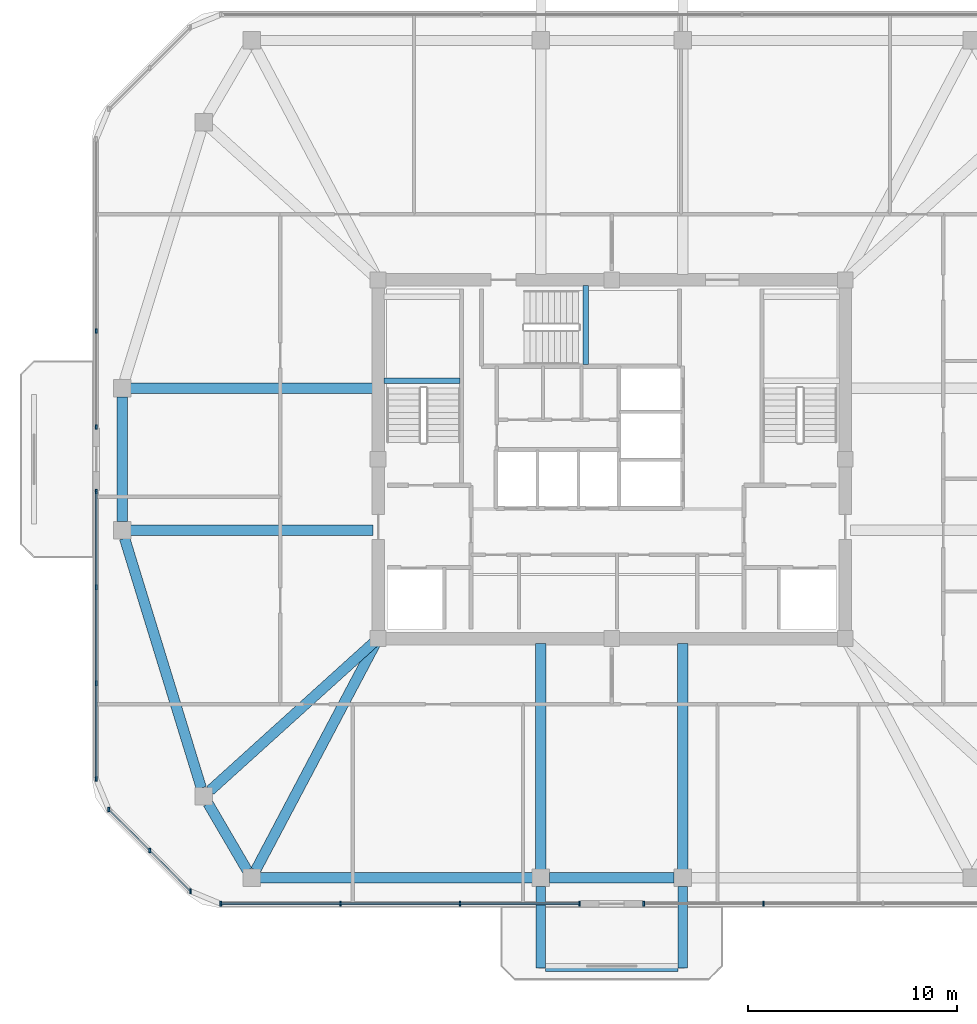
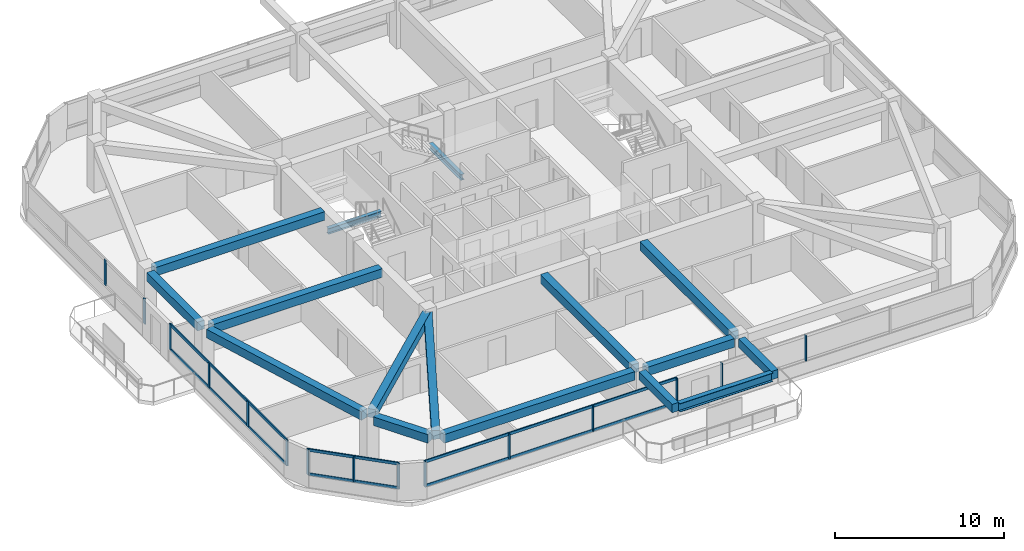
# One storey, part 2 of 12: 21 members, 16 beams, 5 elements without a shape of their own.
"""IFC4 building model written with IfcOpenShell, lengths in metres."""

from ifc_helpers import new_model, si_unit, derived_unit, direction, frame, origin, origin_2d, place, context, subcontext, project, spatial, rectangle, i_section, extrude, material, material_profile, profile_set, type_object, element, aggregate, save


model = new_model("IFC4")

# Units and contexts
model_context = context("Model", 3, precision=1e-05, world=origin(), true_north=direction((0.0, 1.0)))
body_context = subcontext(model_context, "Body", "Model", "MODEL_VIEW")
ifc_project = project(units=[si_unit("LENGTHUNIT", "METRE"), si_unit("AREAUNIT", "SQUARE_METRE"), si_unit("VOLUMEUNIT", "CUBIC_METRE"), si_unit("PLANEANGLEUNIT", "RADIAN"), si_unit("MASSUNIT", "GRAM", prefix="KILO"), derived_unit("THERMALTRANSMITTANCEUNIT", [(si_unit("POWERUNIT", "WATT"), 1), (si_unit("LENGTHUNIT", "METRE"), -2), (si_unit("THERMODYNAMICTEMPERATUREUNIT", "KELVIN"), -1)])], contexts=[model_context])

# Site, building, storey
site_placement = place(None, origin())
site = spatial("IfcSite", under=ifc_project, at=site_placement, CompositionType="ELEMENT")
building_placement = place(site_placement, origin())
building = spatial("IfcBuilding", under=site, at=building_placement, Name="Koralith Skygarden Medical Center", CompositionType="ELEMENT")
storey_placement = place(building_placement, frame((0.0, 0.0, 278.820068359375)))
storey = spatial("IfcBuildingStorey", under=building, at=storey_placement, Name="L72", CompositionType="ELEMENT", Elevation=278.820068359375)

# Curtain wall, members
ifc_material_1 = material(Name="Clear Laminated Glass", Category="glass")
curtain_wall_type = type_object("IfcCurtainWallType", Name="CW-6 Zone 5 Upper Clinical Curtain Wall", PredefinedType="NOTDEFINED", material=ifc_material_1)
curtain_wall_1_placement = place(storey_placement, origin())
curtain_wall_1 = element("IfcCurtainWall", 1, at=curtain_wall_1_placement, inside=storey, type_object=curtain_wall_type, Name="Curtain Wall CW-L72-S-L", PredefinedType="NOTDEFINED")
ifc_material_2 = material(Name="Aluminium 6063-T6", Category="aluminium")
ifc_material_profile_1 = material_profile(ifc_material_2, rectangle(XDim=0.0830078125, YDim=0.219970703125, at=origin_2d()), Name="MUL83X220")
ifc_profile_set_1 = profile_set([ifc_material_profile_1], Name="Aluminium 6063-T6")
member_type_1 = type_object("IfcMemberType", Name="CW-6 Extruded Mullion 83x220", PredefinedType="MULLION", material=ifc_profile_set_1)
member_1_placement = place(storey_placement, frame((18.2548828125, 4.580078125, 0.849853515625), z_axis=(0.0, 0.0, 1.0), x_axis=(1.0, 0.0, 0.0)))
member_1 = element("IfcMember", 2, at=member_1_placement, type_object=member_type_1, Name="CW-L72-S-L Mullion 1", PredefinedType="MULLION", context=body_context, shape_type="SweptSolid", body=[
    extrude(rectangle(XDim=0.0830078125, YDim=0.219970703125, at=origin_2d()), origin(), (0.0, 0.0, 1.0), 1.840087890625),
])
member_2_placement = place(storey_placement, frame((23.989990234375, 4.580078125, 0.849853515625), z_axis=(0.0, 0.0, 1.0), x_axis=(1.0, 0.0, 0.0)))
member_2 = element("IfcMember", 3, at=member_2_placement, type_object=member_type_1, Name="CW-L72-S-L Mullion 2", PredefinedType="MULLION", context=body_context, shape_type="SweptSolid", body=[
    extrude(rectangle(XDim=0.0830078125, YDim=0.219970703125, at=origin_2d()), origin(), (0.0, 0.0, 1.0), 1.840087890625),
])
member_3_placement = place(storey_placement, frame((29.72412109375, 4.580078125, 0.849853515625), z_axis=(0.0, 0.0, 1.0), x_axis=(1.0, 0.0, 0.0)))
member_3 = element("IfcMember", 4, at=member_3_placement, type_object=member_type_1, Name="CW-L72-S-L Mullion 3", PredefinedType="MULLION", context=body_context, shape_type="SweptSolid", body=[
    extrude(rectangle(XDim=0.0830078125, YDim=0.219970703125, at=origin_2d()), origin(), (0.0, 0.0, 1.0), 1.840087890625),
])
member_4_placement = place(storey_placement, frame((35.458984375, 4.580078125, 0.849853515625), z_axis=(0.0, 0.0, 1.0), x_axis=(1.0, 0.0, 0.0)))
member_4 = element("IfcMember", 5, at=member_4_placement, type_object=member_type_1, Name="CW-L72-S-L Mullion 4", PredefinedType="MULLION", context=body_context, shape_type="SweptSolid", body=[
    extrude(rectangle(XDim=0.0830078125, YDim=0.219970703125, at=origin_2d()), origin(), (0.0, 0.0, 1.0), 1.840087890625),
])

curtain_wall_2_placement = place(storey_placement, origin())
curtain_wall_2 = element("IfcCurtainWall", 6, at=curtain_wall_2_placement, inside=storey, type_object=curtain_wall_type, Name="Curtain Wall CW-L72-S-R", PredefinedType="NOTDEFINED")
member_5_placement = place(storey_placement, frame((38.5390625, 4.580078125, 0.849853515625), z_axis=(0.0, 0.0, 1.0), x_axis=(1.0, 0.0, 0.0)))
member_5 = element("IfcMember", 7, at=member_5_placement, type_object=member_type_1, Name="CW-L72-S-R Mullion 1", PredefinedType="MULLION", context=body_context, shape_type="SweptSolid", body=[
    extrude(rectangle(XDim=0.0830078125, YDim=0.219970703125, at=origin_2d()), origin(), (0.0, 0.0, 1.0), 1.840087890625),
])
member_6_placement = place(storey_placement, frame((44.27392578125, 4.580078125, 0.849853515625), z_axis=(0.0, 0.0, 1.0), x_axis=(1.0, 0.0, 0.0)))
member_6 = element("IfcMember", 8, at=member_6_placement, type_object=member_type_1, Name="CW-L72-S-R Mullion 2", PredefinedType="MULLION", context=body_context, shape_type="SweptSolid", body=[
    extrude(rectangle(XDim=0.0830078125, YDim=0.219970703125, at=origin_2d()), origin(), (0.0, 0.0, 1.0), 1.840087890625),
])
aggregate(curtain_wall_2, [member_5, member_6])

curtain_wall_3_placement = place(storey_placement, origin())
curtain_wall_3 = element("IfcCurtainWall", 9, at=curtain_wall_3_placement, inside=storey, type_object=curtain_wall_type, Name="Curtain Wall CW-L72-W-L", PredefinedType="NOTDEFINED")
member_7_placement = place(storey_placement, frame((12.280029296875, 32.0419921875, 0.849853515625), z_axis=(0.0, 0.0, 1.0), x_axis=(1.0, 0.0, 0.0)))
member_7 = element("IfcMember", 10, at=member_7_placement, type_object=member_type_1, Name="CW-L72-W-L Mullion 3", PredefinedType="MULLION", context=body_context, shape_type="SweptSolid", body=[
    extrude(rectangle(XDim=0.0830078125, YDim=0.219970703125, at=origin_2d()), origin(), (0.0, 0.0, 1.0), 1.840087890625),
])
member_8_placement = place(storey_placement, frame((12.280029296875, 27.43994140625, 0.849853515625), z_axis=(0.0, 0.0, 1.0), x_axis=(1.0, 0.0, 0.0)))
member_8 = element("IfcMember", 11, at=member_8_placement, type_object=member_type_1, Name="CW-L72-W-L Mullion 4", PredefinedType="MULLION", context=body_context, shape_type="SweptSolid", body=[
    extrude(rectangle(XDim=0.0830078125, YDim=0.219970703125, at=origin_2d()), origin(), (0.0, 0.0, 1.0), 1.840087890625),
])
aggregate(curtain_wall_3, [member_7, member_8])

curtain_wall_4_placement = place(storey_placement, origin())
curtain_wall_4 = element("IfcCurtainWall", 12, at=curtain_wall_4_placement, inside=storey, type_object=curtain_wall_type, Name="Curtain Wall CW-L72-W-R", PredefinedType="NOTDEFINED")
member_9_placement = place(storey_placement, frame((12.280029296875, 24.360107421875, 0.849853515625), z_axis=(0.0, 0.0, 1.0), x_axis=(1.0, 0.0, 0.0)))
member_9 = element("IfcMember", 13, at=member_9_placement, type_object=member_type_1, Name="CW-L72-W-R Mullion 1", PredefinedType="MULLION", context=body_context, shape_type="SweptSolid", body=[
    extrude(rectangle(XDim=0.0830078125, YDim=0.219970703125, at=origin_2d()), origin(), (0.0, 0.0, 1.0), 1.840087890625),
])
member_10_placement = place(storey_placement, frame((12.280029296875, 19.758056640625, 0.849853515625), z_axis=(0.0, 0.0, 1.0), x_axis=(1.0, 0.0, 0.0)))
member_10 = element("IfcMember", 14, at=member_10_placement, type_object=member_type_1, Name="CW-L72-W-R Mullion 2", PredefinedType="MULLION", context=body_context, shape_type="SweptSolid", body=[
    extrude(rectangle(XDim=0.0830078125, YDim=0.219970703125, at=origin_2d()), origin(), (0.0, 0.0, 1.0), 1.840087890625),
])
member_11_placement = place(storey_placement, frame((12.280029296875, 15.156982421875, 0.849853515625), z_axis=(0.0, 0.0, 1.0), x_axis=(1.0, 0.0, 0.0)))
member_11 = element("IfcMember", 15, at=member_11_placement, type_object=member_type_1, Name="CW-L72-W-R Mullion 3", PredefinedType="MULLION", context=body_context, shape_type="SweptSolid", body=[
    extrude(rectangle(XDim=0.0830078125, YDim=0.219970703125, at=origin_2d()), origin(), (0.0, 0.0, 1.0), 1.840087890625),
])
member_12_placement = place(storey_placement, frame((12.280029296875, 10.554931640625, 0.849853515625), z_axis=(0.0, 0.0, 1.0), x_axis=(1.0, 0.0, 0.0)))
member_12 = element("IfcMember", 16, at=member_12_placement, type_object=member_type_1, Name="CW-L72-W-R Mullion 4", PredefinedType="MULLION", context=body_context, shape_type="SweptSolid", body=[
    extrude(rectangle(XDim=0.0830078125, YDim=0.219970703125, at=origin_2d()), origin(), (0.0, 0.0, 1.0), 1.840087890625),
])

curtain_wall_5_placement = place(storey_placement, origin())
curtain_wall_5 = element("IfcCurtainWall", 17, at=curtain_wall_5_placement, inside=storey, type_object=curtain_wall_type, Name="Curtain Wall CW-L72-SW", PredefinedType="NOTDEFINED")
member_13_placement = place(storey_placement, frame((12.881103515625, 9.10400390625, 0.849853515625), z_axis=(0.0, 0.0, 1.0), x_axis=(1.0, 0.0, 0.0)))
member_13 = element("IfcMember", 18, at=member_13_placement, type_object=member_type_1, Name="CW-L72-SW Mullion 1", PredefinedType="MULLION", context=body_context, shape_type="SweptSolid", body=[
    extrude(rectangle(XDim=0.0830078125, YDim=0.219970703125, at=origin_2d()), origin(), (0.0, 0.0, 1.0), 1.840087890625),
])
member_14_placement = place(storey_placement, frame((14.842041015625, 7.14306640625, 0.849853515625), z_axis=(0.0, 0.0, 1.0), x_axis=(1.0, 0.0, 0.0)))
member_14 = element("IfcMember", 19, at=member_14_placement, type_object=member_type_1, Name="CW-L72-SW Mullion 2", PredefinedType="MULLION", context=body_context, shape_type="SweptSolid", body=[
    extrude(rectangle(XDim=0.0830078125, YDim=0.219970703125, at=origin_2d()), origin(), (0.0, 0.0, 1.0), 1.840087890625),
])
member_15_placement = place(storey_placement, frame((16.803955078125, 5.180908203125, 0.849853515625), z_axis=(0.0, 0.0, 1.0), x_axis=(1.0, 0.0, 0.0)))
member_15 = element("IfcMember", 20, at=member_15_placement, type_object=member_type_1, Name="CW-L72-SW Mullion 3", PredefinedType="MULLION", context=body_context, shape_type="SweptSolid", body=[
    extrude(rectangle(XDim=0.0830078125, YDim=0.219970703125, at=origin_2d()), origin(), (0.0, 0.0, 1.0), 1.840087890625),
])

# Member
ifc_material_profile_2 = material_profile(ifc_material_2, rectangle(XDim=0.077880859375, YDim=0.197998046875, at=origin_2d()), Name="TRN78X198")
ifc_profile_set_2 = profile_set([ifc_material_profile_2], Name="Aluminium 6063-T6")
member_type_2 = type_object("IfcMemberType", Name="CW-6 Thermal Transom 78x198", PredefinedType="USERDEFINED", material=ifc_profile_set_2)
member_16_placement = place(storey_placement, frame((18.2548828125, 4.580078125, 0.89990234375), z_axis=(1.0, 0.0, 0.0), x_axis=(0.0, 1.0, 0.0)))
member_16 = element("IfcMember", 21, at=member_16_placement, type_object=member_type_2, Name="CW-L72-S-L Transom 1", ObjectType="TRANSOM", PredefinedType="USERDEFINED", context=body_context, shape_type="SweptSolid", body=[
    extrude(rectangle(XDim=0.077880859375, YDim=0.197998046875, at=origin_2d()), origin(), (0.0, 0.0, 1.0), 17.2041015625),
])

member_17_placement = place(storey_placement, frame((18.2548828125, 4.580078125, 2.639892578125), z_axis=(1.0, 0.0, 0.0), x_axis=(0.0, 1.0, 0.0)))
member_17 = element("IfcMember", 22, at=member_17_placement, type_object=member_type_2, Name="CW-L72-S-L Transom 2", ObjectType="TRANSOM", PredefinedType="USERDEFINED", context=body_context, shape_type="SweptSolid", body=[
    extrude(rectangle(XDim=0.077880859375, YDim=0.197998046875, at=origin_2d()), origin(), (0.0, 0.0, 1.0), 17.2041015625),
])

aggregate(curtain_wall_1, [member_1, member_2, member_3, member_4, member_16, member_17])

member_18_placement = place(storey_placement, frame((12.280029296875, 24.360107421875, 0.89990234375), z_axis=(0.0, -1.0, 0.0), x_axis=(1.0, 0.0, 0.0)))
member_18 = element("IfcMember", 23, at=member_18_placement, type_object=member_type_2, Name="CW-L72-W-R Transom 1", ObjectType="TRANSOM", PredefinedType="USERDEFINED", context=body_context, shape_type="SweptSolid", body=[
    extrude(rectangle(XDim=0.077880859375, YDim=0.197998046875, at=origin_2d()), origin(), (0.0, 0.0, 1.0), 13.80517578125),
])

member_19_placement = place(storey_placement, frame((12.280029296875, 24.360107421875, 2.639892578125), z_axis=(0.0, -1.0, 0.0), x_axis=(1.0, 0.0, 0.0)))
member_19 = element("IfcMember", 24, at=member_19_placement, type_object=member_type_2, Name="CW-L72-W-R Transom 2", ObjectType="TRANSOM", PredefinedType="USERDEFINED", context=body_context, shape_type="SweptSolid", body=[
    extrude(rectangle(XDim=0.077880859375, YDim=0.197998046875, at=origin_2d()), origin(), (0.0, 0.0, 1.0), 13.80517578125),
])

aggregate(curtain_wall_4, [member_9, member_10, member_11, member_12, member_18, member_19])

member_20_placement = place(storey_placement, frame((12.881103515625, 9.10400390625, 0.89990234375), z_axis=(0.707084777957, -0.707128783731, 0.0), x_axis=(0.707128783731, 0.707084777957, 0.0)))
member_20 = element("IfcMember", 25, at=member_20_placement, type_object=member_type_2, Name="CW-L72-SW Transom 1", ObjectType="TRANSOM", PredefinedType="USERDEFINED", context=body_context, shape_type="SweptSolid", body=[
    extrude(rectangle(XDim=0.077880859375, YDim=0.197998046875, at=origin_2d()), origin(), (0.0, 0.0, 1.0), 5.5478515625),
])

member_21_placement = place(storey_placement, frame((12.881103515625, 9.10400390625, 2.639892578125), z_axis=(0.707084777957, -0.707128783731, 0.0), x_axis=(0.707128783731, 0.707084777957, 0.0)))
member_21 = element("IfcMember", 26, at=member_21_placement, type_object=member_type_2, Name="CW-L72-SW Transom 2", ObjectType="TRANSOM", PredefinedType="USERDEFINED", context=body_context, shape_type="SweptSolid", body=[
    extrude(rectangle(XDim=0.077880859375, YDim=0.197998046875, at=origin_2d()), origin(), (0.0, 0.0, 1.0), 5.5478515625),
])

aggregate(curtain_wall_5, [member_13, member_14, member_15, member_20, member_21])

# Beams
ifc_material_3 = material(Name="Steel ASTM A992 Grade 50", Category="steel")
ifc_material_profile_3 = material_profile(ifc_material_3, i_section(OverallWidth=0.326904296875, OverallDepth=0.6220703125, WebThickness=0.015380859375, FlangeThickness=0.0244140625, at=origin_2d()), Name="W24X131")
ifc_profile_set_3 = profile_set([ifc_material_profile_3], Name="Steel ASTM A992 Grade 50")
beam_type_1 = type_object("IfcBeamType", Name="Cantilever Tie Beam W24X131", PredefinedType="BEAM", material=ifc_profile_set_3)
beam_1_placement = place(storey_placement, frame((33.820068359375, 1.5, 3.029052734375), z_axis=(1.0, 0.0, 0.0), x_axis=(0.0, 1.0, 0.0)))
element("IfcBeam", 27, at=beam_1_placement, inside=storey, type_object=beam_type_1, Name="L73 S Balcony Tip Tie Beam", PredefinedType="BEAM", context=body_context, shape_type="SweptSolid", body=[
    extrude(i_section(OverallWidth=0.326904296875, OverallDepth=0.6220703125, WebThickness=0.015380859375, FlangeThickness=0.0244140625, at=origin_2d()), origin(), (0.0, 0.0, 1.0), 6.35986328125),
])
ifc_material_profile_4 = material_profile(ifc_material_3, i_section(OverallWidth=0.260009765625, OverallDepth=0.4150390625, WebThickness=0.010009765625, FlangeThickness=0.016845703125, at=origin_2d()), Name="W16X67")
ifc_profile_set_4 = profile_set([ifc_material_profile_4], Name="Steel ASTM A992 Grade 50")
beam_type_2 = type_object("IfcBeamType", Name="Clinical Floor Joist W16X67", PredefinedType="JOIST", material=ifc_profile_set_4)
beam_2_placement = place(storey_placement, frame((26.080078125, 29.659912109375, 1.392822265625), z_axis=(1.0, 0.0, 0.0), x_axis=(0.0, 1.0, 0.0)))
element("IfcBeam", 28, at=beam_2_placement, inside=storey, type_object=beam_type_2, Name="L72 Stair ST1 Half-Landing Support Beam 1A", PredefinedType="JOIST", context=body_context, shape_type="SweptSolid", body=[
    extrude(i_section(OverallWidth=0.260009765625, OverallDepth=0.4150390625, WebThickness=0.010009765625, FlangeThickness=0.016845703125, at=origin_2d()), origin(), (0.0, 0.0, 1.0), 3.639892578125),
])
beam_3_placement = place(storey_placement, frame((35.760009765625, 30.43994140625, 1.392822265625), z_axis=(0.0, 1.0, 0.0), x_axis=(-1.0, 0.0, 0.0)))
element("IfcBeam", 29, at=beam_3_placement, inside=storey, type_object=beam_type_2, Name="L72 Stair ST3 Half-Landing Support Beam 1A", PredefinedType="JOIST", context=body_context, shape_type="SweptSolid", body=[
    extrude(i_section(OverallWidth=0.260009765625, OverallDepth=0.4150390625, WebThickness=0.010009765625, FlangeThickness=0.016845703125, at=origin_2d()), origin(), (0.0, 0.0, 1.0), 3.780029296875),
])
ifc_material_4 = material(Name="Concrete C45/55", Category="concrete")
ifc_material_profile_5 = material_profile(ifc_material_4, rectangle(XDim=0.449951171875, YDim=0.60009765625, at=origin_2d()), Name="RCB450X600")
ifc_profile_set_5 = profile_set([ifc_material_profile_5], Name="Concrete C45/55")
beam_type_3 = type_object("IfcBeamType", Name="Planted Balcony Cantilever Beam RCB450X600", PredefinedType="BEAM", material=ifc_profile_set_5)
for number, where, z_axis, x_axis, name in (
    (30, (33.60009765625, 5.419921875, 3.0400390625), (0.0, -1.0, 0.0), (1.0, 0.0, 0.0), "L73 S Balcony Cantilever Beam A"),
    (31, (40.39990234375, 5.419921875, 3.0400390625), (0.0, -1.0, 0.0), (1.0, 0.0, 0.0), "L73 S Balcony Cantilever Beam B"),
):
    element("IfcBeam", number, at=place(storey_placement, frame(where, z_axis=z_axis, x_axis=x_axis)), inside=storey, type_object=beam_type_3, Name=name, PredefinedType="BEAM", context=body_context, shape_type="SweptSolid", body=[
        extrude(rectangle(XDim=0.449951171875, YDim=0.60009765625, at=origin_2d()), origin(), (0.0, 0.0, 1.0), 3.919921875),
    ])
ifc_material_profile_6 = material_profile(ifc_material_4, rectangle(XDim=0.5, YDim=0.6201171875, at=origin_2d()), Name="RCB500X620")
ifc_profile_set_6 = profile_set([ifc_material_profile_6], Name="Concrete C45/55")
beam_type_4 = type_object("IfcBeamType", Name="Upper Radial Collector Beam RCB500X620", PredefinedType="BEAM", material=ifc_profile_set_6)
beam_4_placement = place(storey_placement, frame((25.550048828125, 22.5, 3.010009765625), z_axis=(-1.0, 0.0, 0.0), x_axis=(0.0, -1.0, 0.0)))
element("IfcBeam", 32, at=beam_4_placement, inside=storey, type_object=beam_type_4, Name="L72 Radial Collector Beam RB-01", PredefinedType="BEAM", context=body_context, shape_type="SweptSolid", body=[
    extrude(rectangle(XDim=0.5, YDim=0.6201171875, at=origin_2d()), origin(), (0.0, 0.0, 1.0), 11.6201171875),
])
beam_5_placement = place(storey_placement, frame((25.614990234375, 17.132080078125, 3.010009765625), z_axis=(-0.741736323186, -0.670691603397, 0.0), x_axis=(0.670691603397, -0.741736323186, 0.0)))
element("IfcBeam", 33, at=beam_5_placement, inside=storey, type_object=beam_type_4, Name="L72 Radial Collector Beam RB-02", PredefinedType="BEAM", context=body_context, shape_type="SweptSolid", body=[
    extrude(rectangle(XDim=0.5, YDim=0.6201171875, at=origin_2d()), origin(), (0.0, 0.0, 1.0), 10.61181640625),
])
beam_6_placement = place(storey_placement, frame((25.68310546875, 17.0791015625, 3.010009765625), z_axis=(-0.46724871287, -0.884125918816, 0.0), x_axis=(0.884125918816, -0.46724871287, 0.0)))
element("IfcBeam", 34, at=beam_6_placement, inside=storey, type_object=beam_type_4, Name="L72 Radial Collector Beam RB-03", PredefinedType="BEAM", context=body_context, shape_type="SweptSolid", body=[
    extrude(rectangle(XDim=0.5, YDim=0.6201171875, at=origin_2d()), origin(), (0.0, 0.0, 1.0), 12.325439453125),
])
for number, where, z_axis, x_axis, name in (
    (35, (33.60009765625, 17.050048828125, 3.010009765625), (0.0, -1.0, 0.0), (1.0, 0.0, 0.0), "L72 Radial Collector Beam RB-04"),
    (36, (40.39990234375, 17.050048828125, 3.010009765625), (0.0, -1.0, 0.0), (1.0, 0.0, 0.0), "L72 Radial Collector Beam RB-05"),
):
    element("IfcBeam", number, at=place(storey_placement, frame(where, z_axis=z_axis, x_axis=x_axis)), inside=storey, type_object=beam_type_4, Name=name, PredefinedType="BEAM", context=body_context, shape_type="SweptSolid", body=[
        extrude(rectangle(XDim=0.5, YDim=0.6201171875, at=origin_2d()), origin(), (0.0, 0.0, 1.0), 10.820068359375),
    ])
beam_7_placement = place(storey_placement, frame((25.550048828125, 29.300048828125, 3.010009765625), z_axis=(-1.0, 0.0, 0.0), x_axis=(0.0, -1.0, 0.0)))
element("IfcBeam", 37, at=beam_7_placement, inside=storey, type_object=beam_type_4, Name="L72 Radial Collector Beam RB-16", PredefinedType="BEAM", context=body_context, shape_type="SweptSolid", body=[
    extrude(rectangle(XDim=0.5, YDim=0.6201171875, at=origin_2d()), origin(), (0.0, 0.0, 1.0), 11.6201171875),
])
ifc_material_profile_7 = material_profile(ifc_material_4, rectangle(XDim=0.5, YDim=0.6201171875, at=origin_2d()), Name="RCB500X620")
ifc_profile_set_7 = profile_set([ifc_material_profile_7], Name="Concrete C45/55")
beam_type_5 = type_object("IfcBeamType", Name="Zone 4-5 Spandrel Beam RCB500X620", PredefinedType="SPANDREL", material=ifc_profile_set_7)
beam_8_placement = place(storey_placement, frame((13.639892578125, 22.10791015625, 3.010009765625), z_axis=(0.293743494914, -0.955884281279, 0.0), x_axis=(0.955884281279, 0.293743494914, 0.0)))
element("IfcBeam", 38, at=beam_8_placement, inside=storey, type_object=beam_type_5, Name="L72 Perimeter Spandrel Beam SP-01", PredefinedType="SPANDREL", context=body_context, shape_type="SweptSolid", body=[
    extrude(rectangle(XDim=0.5, YDim=0.6201171875, at=origin_2d()), origin(), (0.0, 0.0, 1.0), 12.528564453125),
])
beam_9_placement = place(storey_placement, frame((17.64697265625, 9.385986328125, 3.010009765625), z_axis=(0.50473571007, -0.863273921175, 0.0), x_axis=(0.863273921175, 0.50473571007, 0.0)))
element("IfcBeam", 39, at=beam_9_placement, inside=storey, type_object=beam_type_5, Name="L72 Perimeter Spandrel Beam SP-02", PredefinedType="SPANDREL", context=body_context, shape_type="SweptSolid", body=[
    extrude(rectangle(XDim=0.5, YDim=0.6201171875, at=origin_2d()), origin(), (0.0, 0.0, 1.0), 3.720703125),
])
beam_10_placement = place(storey_placement, frame((20.14208984375, 5.820068359375, 3.010009765625), z_axis=(1.0, 0.0, 0.0), x_axis=(0.0, 1.0, 0.0)))
element("IfcBeam", 40, at=beam_10_placement, inside=storey, type_object=beam_type_5, Name="L72 Perimeter Spandrel Beam SP-03", PredefinedType="SPANDREL", context=body_context, shape_type="SweptSolid", body=[
    extrude(rectangle(XDim=0.5, YDim=0.6201171875, at=origin_2d()), origin(), (0.0, 0.0, 1.0), 13.0478515625),
])
for number, where, z_axis, x_axis, name in (
    (41, (34.010009765625, 5.820068359375, 3.010009765625), (1.0, 0.0, 0.0), (0.0, 1.0, 0.0), "L72 Perimeter Spandrel Beam SP-04"),
    (42, (13.52001953125, 28.889892578125, 3.010009765625), (0.0, -1.0, 0.0), (1.0, 0.0, 0.0), "L72 Perimeter Spandrel Beam SP-16"),
):
    element("IfcBeam", number, at=place(storey_placement, frame(where, z_axis=z_axis, x_axis=x_axis)), inside=storey, type_object=beam_type_5, Name=name, PredefinedType="SPANDREL", context=body_context, shape_type="SweptSolid", body=[
        extrude(rectangle(XDim=0.5, YDim=0.6201171875, at=origin_2d()), origin(), (0.0, 0.0, 1.0), 5.97998046875),
    ])

save(model, "model.ifc")
